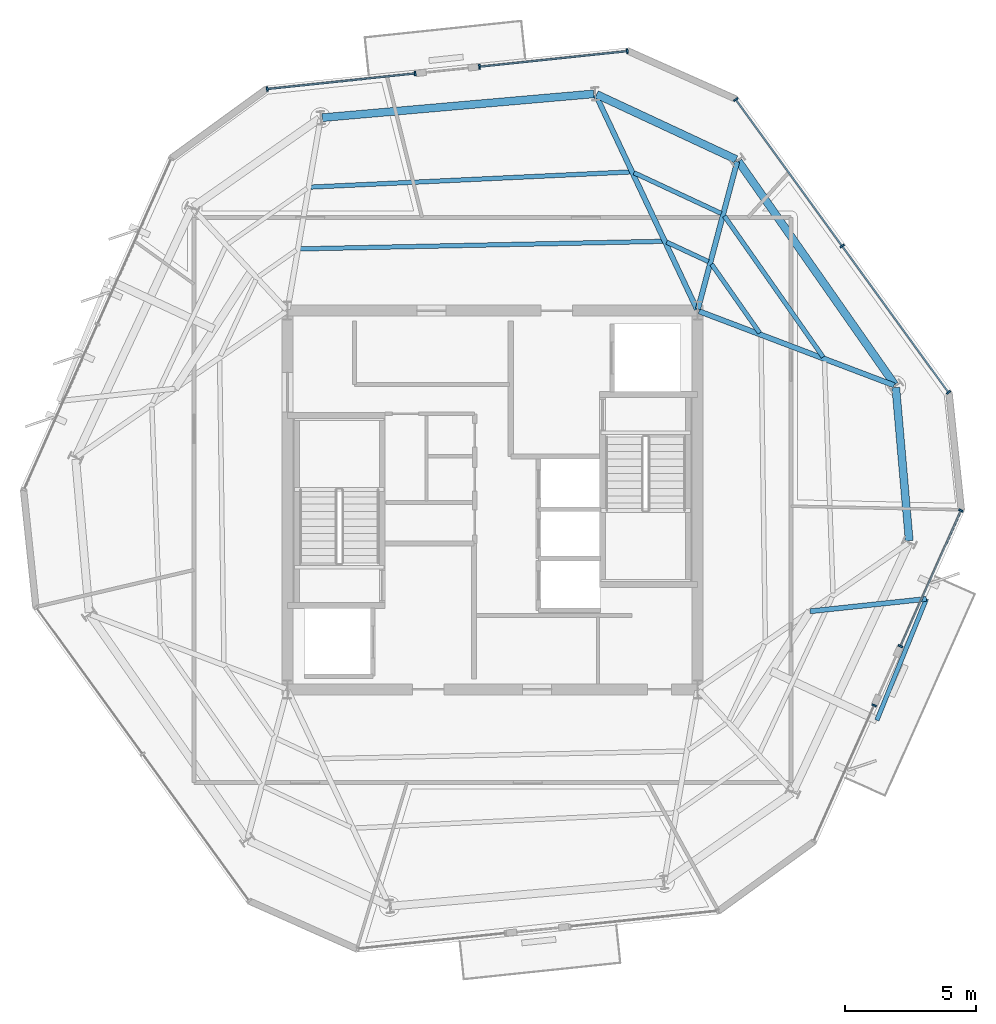
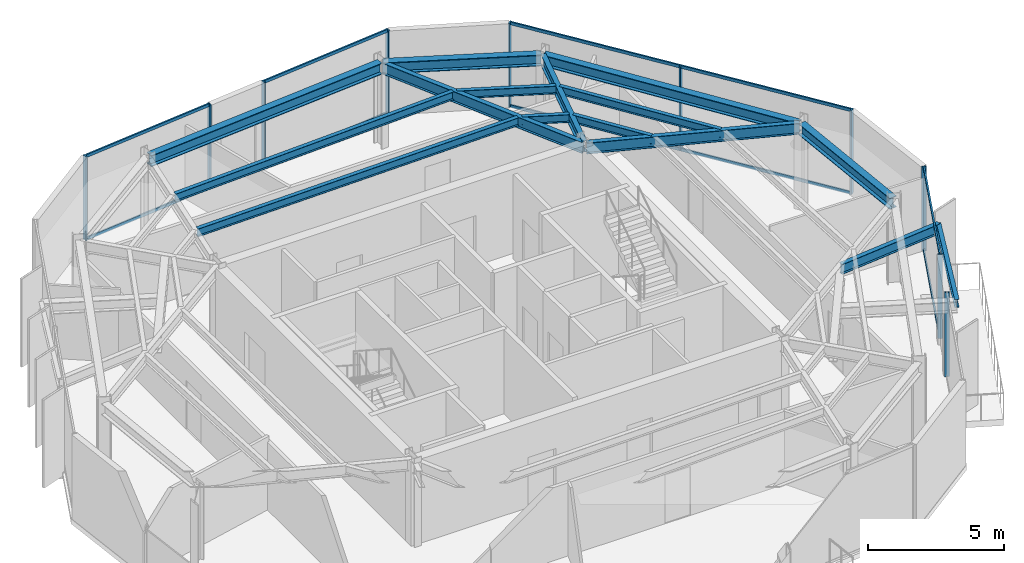
# One storey, part 5 of 11: 20 members, 15 beams, 5 elements without a shape of their own.
"""IFC4 building model written with IfcOpenShell, lengths in metres."""

from ifc_helpers import new_model, si_unit, direction, frame, origin, origin_2d, place, context, subcontext, project, spatial, rectangle, i_section, extrude, material, layer, layer_set, material_profile, profile_set, type_object, element, aggregate, save


model = new_model("IFC4")

# Units and contexts
model_context = context("Model", 3, precision=1e-05, world=origin(), true_north=direction((0.0, 1.0)))
body_context = subcontext(model_context, "Body", "Model", "MODEL_VIEW")
ifc_project = project(units=[si_unit("LENGTHUNIT", "METRE"), si_unit("AREAUNIT", "SQUARE_METRE"), si_unit("VOLUMEUNIT", "CUBIC_METRE"), si_unit("PLANEANGLEUNIT", "RADIAN"), si_unit("MASSUNIT", "GRAM", prefix="KILO")], contexts=[model_context])

# Site, building, storey
site_placement = place(None, origin())
site = spatial("IfcSite", under=ifc_project, at=site_placement, CompositionType="ELEMENT")
building_placement = place(site_placement, origin())
building = spatial("IfcBuilding", under=site, at=building_placement, Name="Kranzbogen Civic Tower", CompositionType="ELEMENT")
storey_placement = place(building_placement, frame((0.0, 0.0, 290.199951171875)))
storey = spatial("IfcBuildingStorey", under=building, at=storey_placement, Name="L70", CompositionType="ELEMENT", Elevation=290.199951171875)

# Beam
ifc_material_1 = material(Name="Steel S355", Category="steel")
ifc_material_profile_1 = material_profile(ifc_material_1, i_section(OverallWidth=0.18994140625, OverallDepth=0.449951171875, WebThickness=0.009521484375, FlangeThickness=0.0146484375, at=origin_2d()), Name="IPE 450")
ifc_profile_set_1 = profile_set([ifc_material_profile_1], Name="Steel S355")
beam_type_1 = type_object("IfcBeamType", Name="Braced Terrace Edge Beam IPE 450", PredefinedType="BEAM", material=ifc_profile_set_1)
beam_1_placement = place(storey_placement, frame((37.075927734375, 20.76708984375, 3.525146484375), z_axis=(0.994384246191, 0.105829915084, 0.0), x_axis=(-0.105829915084, 0.994384246191, 0.0)))
element("IfcBeam", 1, at=beam_1_placement, inside=storey, type_object=beam_type_1, Name="L71 back-spanned terrace beam L71-TB2-2", PredefinedType="BEAM", context=body_context, shape_type="SweptSolid", body=[
    extrude(i_section(OverallWidth=0.18994140625, OverallDepth=0.449951171875, WebThickness=0.009521484375, FlangeThickness=0.0146484375, at=origin_2d()), origin(), (0.0, 0.0, 1.0), 4.449951171875),
])

# Curtain wall, members
ifc_material_2 = material(Name="Pale Anodised Aluminium", Category="aluminium")
ifc_layer = layer(ifc_material_2, 0.219970703125, Name="Pale Anodised Aluminium")
ifc_layer_set = layer_set([ifc_layer], Name="Pale Anodised Aluminium")
curtain_wall_type = type_object("IfcCurtainWallType", Name="Zone 4 Stick Curtain Wall System CW-05", PredefinedType="USERDEFINED", material=ifc_layer_set)
curtain_wall_1_placement = place(storey_placement, origin())
curtain_wall_1 = element("IfcCurtainWall", 2, at=curtain_wall_1_placement, inside=storey, type_object=curtain_wall_type, Name="L70 curtain wall CW-L70-F1-S1", ObjectType="STICK CURTAIN WALL", PredefinedType="USERDEFINED")
ifc_material_profile_2 = material_profile(ifc_material_2, rectangle(XDim=0.06494140625, YDim=0.179931640625, at=origin_2d()), Name="ALU-M 65x180")
ifc_profile_set_2 = profile_set([ifc_material_profile_2], Name="Pale Anodised Aluminium")
member_type_1 = type_object("IfcMemberType", Name="Curtain Wall Mullion ALU-M 65x180", PredefinedType="MULLION", material=ifc_profile_set_2)
member_1_placement = place(storey_placement, frame((30.127197265625, 42.06689453125, 0.0), z_axis=(0.0, 0.0, 1.0), x_axis=(-0.994525575058, -0.10449344743, 0.0)))
member_1 = element("IfcMember", 3, at=member_1_placement, type_object=member_type_1, Name="CW-05 mullion 1", PredefinedType="MULLION", context=body_context, shape_type="SweptSolid", body=[
    extrude(rectangle(XDim=0.06494140625, YDim=0.179931640625, at=origin_2d()), origin(), (0.0, 0.0, 1.0), 3.780029296875),
])
member_2_placement = place(storey_placement, frame((24.5048828125, 41.47607421875, 0.0), z_axis=(0.0, 0.0, 1.0), x_axis=(-0.994525575058, -0.10449344743, 0.0)))
member_2 = element("IfcMember", 4, at=member_2_placement, type_object=member_type_1, Name="CW-05 mullion 2", PredefinedType="MULLION", context=body_context, shape_type="SweptSolid", body=[
    extrude(rectangle(XDim=0.06494140625, YDim=0.179931640625, at=origin_2d()), origin(), (0.0, 0.0, 1.0), 3.780029296875),
])

curtain_wall_2_placement = place(storey_placement, origin())
curtain_wall_2 = element("IfcCurtainWall", 5, at=curtain_wall_2_placement, inside=storey, type_object=curtain_wall_type, Name="L70 curtain wall CW-L70-F1-S2", ObjectType="STICK CURTAIN WALL", PredefinedType="USERDEFINED")
member_3_placement = place(storey_placement, frame((22.05810546875, 41.21875, 0.0), z_axis=(0.0, 0.0, 1.0), x_axis=(-0.994523663418, -0.104511640032, 0.0)))
member_3 = element("IfcMember", 6, at=member_3_placement, type_object=member_type_1, Name="CW-05 mullion 1", PredefinedType="MULLION", context=body_context, shape_type="SweptSolid", body=[
    extrude(rectangle(XDim=0.06494140625, YDim=0.179931640625, at=origin_2d()), origin(), (0.0, 0.0, 1.0), 3.780029296875),
])
member_4_placement = place(storey_placement, frame((16.436767578125, 40.628173828125, 0.0), z_axis=(0.0, 0.0, 1.0), x_axis=(-0.994523663418, -0.104511640032, 0.0)))
member_4 = element("IfcMember", 7, at=member_4_placement, type_object=member_type_1, Name="CW-05 mullion 2", PredefinedType="MULLION", context=body_context, shape_type="SweptSolid", body=[
    extrude(rectangle(XDim=0.06494140625, YDim=0.179931640625, at=origin_2d()), origin(), (0.0, 0.0, 1.0), 3.780029296875),
])

# Curtain wall, member
curtain_wall_3_placement = place(storey_placement, origin())
curtain_wall_3 = element("IfcCurtainWall", 8, at=curtain_wall_3_placement, inside=storey, type_object=curtain_wall_type, Name="L70 curtain wall CW-L70-F5-S1", ObjectType="STICK CURTAIN WALL", PredefinedType="USERDEFINED")
member_5_placement = place(storey_placement, frame((39.516845703125, 17.190673828125, 0.0), z_axis=(0.0, 0.0, 1.0), x_axis=(0.406787988474, 0.913522595469, 0.0)))
member_5 = element("IfcMember", 9, at=member_5_placement, type_object=member_type_1, Name="CW-05 mullion 2", PredefinedType="MULLION", context=body_context, shape_type="SweptSolid", body=[
    extrude(rectangle(XDim=0.06494140625, YDim=0.179931640625, at=origin_2d()), origin(), (0.0, 0.0, 1.0), 3.780029296875),
])
aggregate(curtain_wall_3, [member_5])

# Curtain wall, members
curtain_wall_4_placement = place(storey_placement, origin())
curtain_wall_4 = element("IfcCurtainWall", 10, at=curtain_wall_4_placement, inside=storey, type_object=curtain_wall_type, Name="L70 curtain wall CW-L70-F5-S2", ObjectType="STICK CURTAIN WALL", PredefinedType="USERDEFINED")
member_6_placement = place(storey_placement, frame((40.51708984375, 19.4384765625, 0.0), z_axis=(0.0, 0.0, 1.0), x_axis=(0.406706940752, 0.91355868139, 0.0)))
member_6 = element("IfcMember", 11, at=member_6_placement, type_object=member_type_1, Name="CW-05 mullion 1", PredefinedType="MULLION", context=body_context, shape_type="SweptSolid", body=[
    extrude(rectangle(XDim=0.06494140625, YDim=0.179931640625, at=origin_2d()), origin(), (0.0, 0.0, 1.0), 3.780029296875),
])
member_7_placement = place(storey_placement, frame((42.81591796875, 24.6015625, 0.0), z_axis=(0.0, 0.0, 1.0), x_axis=(0.406706940752, 0.91355868139, 0.0)))
member_7 = element("IfcMember", 12, at=member_7_placement, type_object=member_type_1, Name="CW-05 mullion 2", PredefinedType="MULLION", context=body_context, shape_type="SweptSolid", body=[
    extrude(rectangle(XDim=0.06494140625, YDim=0.179931640625, at=origin_2d()), origin(), (0.0, 0.0, 1.0), 3.780029296875),
])

curtain_wall_5_placement = place(storey_placement, origin())
curtain_wall_5 = element("IfcCurtainWall", 13, at=curtain_wall_5_placement, inside=storey, type_object=curtain_wall_type, Name="L70 curtain wall CW-L70-F6", ObjectType="STICK CURTAIN WALL", PredefinedType="USERDEFINED")
member_8_placement = place(storey_placement, frame((42.34326171875, 29.09326171875, 0.0), z_axis=(0.0, 0.0, 1.0), x_axis=(-0.587767348667, 0.809030001817, 0.0)))
member_8 = element("IfcMember", 14, at=member_8_placement, type_object=member_type_1, Name="CW-05 mullion 1", PredefinedType="MULLION", context=body_context, shape_type="SweptSolid", body=[
    extrude(rectangle(XDim=0.06494140625, YDim=0.179931640625, at=origin_2d()), origin(), (0.0, 0.0, 1.0), 3.780029296875),
])
member_9_placement = place(storey_placement, frame((38.298095703125, 34.66162109375, 0.0), z_axis=(0.0, 0.0, 1.0), x_axis=(-0.587767348667, 0.809030001817, 0.0)))
member_9 = element("IfcMember", 15, at=member_9_placement, type_object=member_type_1, Name="CW-05 mullion 2", PredefinedType="MULLION", context=body_context, shape_type="SweptSolid", body=[
    extrude(rectangle(XDim=0.06494140625, YDim=0.179931640625, at=origin_2d()), origin(), (0.0, 0.0, 1.0), 3.780029296875),
])
member_10_placement = place(storey_placement, frame((34.252685546875, 40.229736328125, 0.0), z_axis=(0.0, 0.0, 1.0), x_axis=(-0.587767348667, 0.809030001817, 0.0)))
member_10 = element("IfcMember", 16, at=member_10_placement, type_object=member_type_1, Name="CW-05 mullion 3", PredefinedType="MULLION", context=body_context, shape_type="SweptSolid", body=[
    extrude(rectangle(XDim=0.06494140625, YDim=0.179931640625, at=origin_2d()), origin(), (0.0, 0.0, 1.0), 3.780029296875),
])

# Member
ifc_material_profile_3 = material_profile(ifc_material_2, rectangle(XDim=0.06494140625, YDim=0.135009765625, at=origin_2d()), Name="ALU-T 65x135")
ifc_profile_set_3 = profile_set([ifc_material_profile_3], Name="Pale Anodised Aluminium")
member_type_2 = type_object("IfcMemberType", Name="Curtain Wall Transom ALU-T 65x135", PredefinedType="USERDEFINED", material=ifc_profile_set_3)
member_11_placement = place(storey_placement, frame((30.097412109375, 42.063720703125, 0.030029296875), z_axis=(-0.994525524764, -0.104493926104, 0.0), x_axis=(0.104493926104, -0.994525524764, 0.0)))
member_11 = element("IfcMember", 17, at=member_11_placement, type_object=member_type_2, Name="CW-05 transom 1.1", ObjectType="TRANSOM", PredefinedType="USERDEFINED", context=body_context, shape_type="SweptSolid", body=[
    extrude(rectangle(XDim=0.06494140625, YDim=0.135009765625, at=origin_2d()), origin(), (0.0, 0.0, 1.0), 5.59326171875),
])

member_12_placement = place(storey_placement, frame((30.097412109375, 42.063720703125, 3.75), z_axis=(-0.994525524764, -0.104493926104, 0.0), x_axis=(0.104493926104, -0.994525524764, 0.0)))
member_12 = element("IfcMember", 18, at=member_12_placement, type_object=member_type_2, Name="CW-05 transom 1.2", ObjectType="TRANSOM", PredefinedType="USERDEFINED", context=body_context, shape_type="SweptSolid", body=[
    extrude(rectangle(XDim=0.06494140625, YDim=0.135009765625, at=origin_2d()), origin(), (0.0, 0.0, 1.0), 5.59326171875),
])

aggregate(curtain_wall_1, [member_1, member_2, member_11, member_12])

member_13_placement = place(storey_placement, frame((22.0283203125, 41.2158203125, 0.030029296875), z_axis=(-0.99452361789, -0.104512073273, 0.0), x_axis=(0.104512073273, -0.99452361789, 0.0)))
member_13 = element("IfcMember", 19, at=member_13_placement, type_object=member_type_2, Name="CW-05 transom 1.1", ObjectType="TRANSOM", PredefinedType="USERDEFINED", context=body_context, shape_type="SweptSolid", body=[
    extrude(rectangle(XDim=0.06494140625, YDim=0.135009765625, at=origin_2d()), origin(), (0.0, 0.0, 1.0), 5.59228515625),
])

member_14_placement = place(storey_placement, frame((22.0283203125, 41.2158203125, 3.75), z_axis=(-0.99452361789, -0.104512073273, 0.0), x_axis=(0.104512073273, -0.99452361789, 0.0)))
member_14 = element("IfcMember", 20, at=member_14_placement, type_object=member_type_2, Name="CW-05 transom 1.2", ObjectType="TRANSOM", PredefinedType="USERDEFINED", context=body_context, shape_type="SweptSolid", body=[
    extrude(rectangle(XDim=0.06494140625, YDim=0.135009765625, at=origin_2d()), origin(), (0.0, 0.0, 1.0), 5.59228515625),
])

aggregate(curtain_wall_2, [member_3, member_4, member_13, member_14])

member_15_placement = place(storey_placement, frame((40.529296875, 19.4658203125, 0.030029296875), z_axis=(0.406737917964, 0.913544890025, 0.0), x_axis=(-0.913544890025, 0.406737917964, 0.0)))
member_15 = element("IfcMember", 21, at=member_15_placement, type_object=member_type_2, Name="CW-05 transom 1.1", ObjectType="TRANSOM", PredefinedType="USERDEFINED", context=body_context, shape_type="SweptSolid", body=[
    extrude(rectangle(XDim=0.06494140625, YDim=0.135009765625, at=origin_2d()), origin(), (0.0, 0.0, 1.0), 5.591796875),
])

member_16_placement = place(storey_placement, frame((40.529296875, 19.4658203125, 3.75), z_axis=(0.406737917964, 0.913544890025, 0.0), x_axis=(-0.913544890025, 0.406737917964, 0.0)))
member_16 = element("IfcMember", 22, at=member_16_placement, type_object=member_type_2, Name="CW-05 transom 1.2", ObjectType="TRANSOM", PredefinedType="USERDEFINED", context=body_context, shape_type="SweptSolid", body=[
    extrude(rectangle(XDim=0.06494140625, YDim=0.135009765625, at=origin_2d()), origin(), (0.0, 0.0, 1.0), 5.591796875),
])

aggregate(curtain_wall_4, [member_6, member_7, member_15, member_16])

member_17_placement = place(storey_placement, frame((42.32568359375, 29.117431640625, 0.030029296875), z_axis=(-0.587752462123, 0.809040816812, 0.0), x_axis=(-0.809040816812, -0.587752462123, 0.0)))
member_17 = element("IfcMember", 23, at=member_17_placement, type_object=member_type_2, Name="CW-05 transom 1.1", ObjectType="TRANSOM", PredefinedType="USERDEFINED", context=body_context, shape_type="SweptSolid", body=[
    extrude(rectangle(XDim=0.06494140625, YDim=0.135009765625, at=origin_2d()), origin(), (0.0, 0.0, 1.0), 6.822509765625),
])

member_18_placement = place(storey_placement, frame((42.32568359375, 29.117431640625, 3.75), z_axis=(-0.587752462123, 0.809040816812, 0.0), x_axis=(-0.809040816812, -0.587752462123, 0.0)))
member_18 = element("IfcMember", 24, at=member_18_placement, type_object=member_type_2, Name="CW-05 transom 1.2", ObjectType="TRANSOM", PredefinedType="USERDEFINED", context=body_context, shape_type="SweptSolid", body=[
    extrude(rectangle(XDim=0.06494140625, YDim=0.135009765625, at=origin_2d()), origin(), (0.0, 0.0, 1.0), 6.822509765625),
])

member_19_placement = place(storey_placement, frame((38.2802734375, 34.685791015625, 0.030029296875), z_axis=(-0.587752462123, 0.809040816812, 0.0), x_axis=(-0.809040816812, -0.587752462123, 0.0)))
member_19 = element("IfcMember", 25, at=member_19_placement, type_object=member_type_2, Name="CW-05 transom 2.1", ObjectType="TRANSOM", PredefinedType="USERDEFINED", context=body_context, shape_type="SweptSolid", body=[
    extrude(rectangle(XDim=0.06494140625, YDim=0.135009765625, at=origin_2d()), origin(), (0.0, 0.0, 1.0), 6.822509765625),
])

member_20_placement = place(storey_placement, frame((38.2802734375, 34.685791015625, 3.75), z_axis=(-0.587752462123, 0.809040816812, 0.0), x_axis=(-0.809040816812, -0.587752462123, 0.0)))
member_20 = element("IfcMember", 26, at=member_20_placement, type_object=member_type_2, Name="CW-05 transom 2.2", ObjectType="TRANSOM", PredefinedType="USERDEFINED", context=body_context, shape_type="SweptSolid", body=[
    extrude(rectangle(XDim=0.06494140625, YDim=0.135009765625, at=origin_2d()), origin(), (0.0, 0.0, 1.0), 6.822509765625),
])

aggregate(curtain_wall_5, [member_8, member_9, member_10, member_17, member_18, member_19, member_20])

# Beams
ifc_material_profile_4 = material_profile(ifc_material_1, i_section(OverallWidth=0.300048828125, OverallDepth=0.5, WebThickness=0.014404296875, FlangeThickness=0.028076171875, at=origin_2d()), Name="HEB 500")
ifc_profile_set_4 = profile_set([ifc_material_profile_4], Name="Steel S355")
beam_type_2 = type_object("IfcBeamType", Name="Perimeter Tube Spandrel Beam HEB 500", PredefinedType="SPANDREL", material=ifc_profile_set_4)
beam_2_placement = place(storey_placement, frame((40.85009765625, 23.449951171875, 3.530029296875), z_axis=(-0.087326362434, 0.99617975608, 0.0), x_axis=(-0.99617975608, -0.087326362434, 0.0)))
element("IfcBeam", 27, at=beam_2_placement, inside=storey, type_object=beam_type_2, Name="L70 perimeter spandrel beam 06", PredefinedType="SPANDREL", context=body_context, shape_type="SweptSolid", body=[
    extrude(i_section(OverallWidth=0.300048828125, OverallDepth=0.5, WebThickness=0.014404296875, FlangeThickness=0.028076171875, at=origin_2d()), origin(), (0.0, 0.0, 1.0), 5.8515625),
])
beam_3_placement = place(storey_placement, frame((40.300048828125, 29.387939453125, 3.530029296875), z_axis=(-0.573577759301, 0.819151117948, 0.0), x_axis=(-0.819151117948, -0.573577759301, 0.0)))
element("IfcBeam", 28, at=beam_3_placement, inside=storey, type_object=beam_type_2, Name="L70 perimeter spandrel beam 07", PredefinedType="SPANDREL", context=body_context, shape_type="SweptSolid", body=[
    extrude(i_section(OverallWidth=0.300048828125, OverallDepth=0.5, WebThickness=0.014404296875, FlangeThickness=0.028076171875, at=origin_2d()), origin(), (0.0, 0.0, 1.0), 10.36328125),
])
beam_4_placement = place(storey_placement, frame((34.26806640625, 37.950927734375, 3.530029296875), z_axis=(-0.906289661556, 0.422657129784, 0.0), x_axis=(-0.422657129784, -0.906289661556, 0.0)))
element("IfcBeam", 29, at=beam_4_placement, inside=storey, type_object=beam_type_2, Name="L70 perimeter spandrel beam 08", PredefinedType="SPANDREL", context=body_context, shape_type="SweptSolid", body=[
    extrude(i_section(OverallWidth=0.300048828125, OverallDepth=0.5, WebThickness=0.014404296875, FlangeThickness=0.028076171875, at=origin_2d()), origin(), (0.0, 0.0, 1.0), 5.853759765625),
])
beam_5_placement = place(storey_placement, frame((28.84912109375, 40.445068359375, 3.530029296875), z_axis=(-0.996186373839, -0.087250837114, 0.0), x_axis=(0.087250837114, -0.996186373839, 0.0)))
element("IfcBeam", 30, at=beam_5_placement, inside=storey, type_object=beam_type_2, Name="L70 perimeter spandrel beam 09", PredefinedType="SPANDREL", context=body_context, shape_type="SweptSolid", body=[
    extrude(i_section(OverallWidth=0.300048828125, OverallDepth=0.5, WebThickness=0.014404296875, FlangeThickness=0.028076171875, at=origin_2d()), origin(), (0.0, 0.0, 1.0), 10.361572265625),
])
ifc_material_profile_5 = material_profile(ifc_material_1, i_section(OverallWidth=0.199951171875, OverallDepth=0.5, WebThickness=0.01025390625, FlangeThickness=0.01611328125, at=origin_2d()), Name="IPE 500")
ifc_profile_set_5 = profile_set([ifc_material_profile_5], Name="Steel S355")
beam_type_3 = type_object("IfcBeamType", Name="Radial Tower Floor Girder IPE 500", PredefinedType="BEAM", material=ifc_profile_set_5)
beam_6_placement = place(storey_placement, frame((40.278076171875, 29.360107421875, 3.530029296875), z_axis=(-0.934848709689, 0.355046320913, 0.0), x_axis=(-0.355046320913, -0.934848709689, 0.0)))
element("IfcBeam", 31, at=beam_6_placement, inside=storey, type_object=beam_type_3, Name="L70 radial floor girder 07", PredefinedType="BEAM", context=body_context, shape_type="SweptSolid", body=[
    extrude(i_section(OverallWidth=0.199951171875, OverallDepth=0.5, WebThickness=0.01025390625, FlangeThickness=0.01611328125, at=origin_2d()), origin(), (0.0, 0.0, 1.0), 7.939453125),
])
beam_7_placement = place(storey_placement, frame((34.306884765625, 37.867919921875, 3.530029296875), z_axis=(-0.257016017622, -0.966407143333, 0.0), x_axis=(0.966407143333, -0.257016017622, 0.0)))
element("IfcBeam", 32, at=beam_7_placement, inside=storey, type_object=beam_type_3, Name="L70 radial floor girder 08", PredefinedType="BEAM", context=body_context, shape_type="SweptSolid", body=[
    extrude(i_section(OverallWidth=0.199951171875, OverallDepth=0.5, WebThickness=0.01025390625, FlangeThickness=0.01611328125, at=origin_2d()), origin(), (0.0, 0.0, 1.0), 5.804931640625),
])
beam_8_placement = place(storey_placement, frame((28.93505859375, 40.39599609375, 3.530029296875), z_axis=(0.426460441273, -0.904506214478, 0.0), x_axis=(0.904506214478, 0.426460441273, 0.0)))
element("IfcBeam", 33, at=beam_8_placement, inside=storey, type_object=beam_type_3, Name="L70 radial floor girder 09", PredefinedType="BEAM", context=body_context, shape_type="SweptSolid", body=[
    extrude(i_section(OverallWidth=0.199951171875, OverallDepth=0.5, WebThickness=0.01025390625, FlangeThickness=0.01611328125, at=origin_2d()), origin(), (0.0, 0.0, 1.0), 9.001708984375),
])
ifc_material_profile_6 = material_profile(ifc_material_1, i_section(OverallWidth=0.169921875, OverallDepth=0.360107421875, WebThickness=0.008056640625, FlangeThickness=0.0126953125, at=origin_2d()), Name="IPE 360")
ifc_profile_set_6 = profile_set([ifc_material_profile_6], Name="Steel S355")
beam_type_4 = type_object("IfcBeamType", Name="Secondary Composite Floor Joist IPE 360", PredefinedType="JOIST", material=ifc_profile_set_6)
beam_9_placement = place(storey_placement, frame((37.575927734375, 30.43408203125, 3.60009765625), z_axis=(-0.573499872939, 0.819205649235, 0.0), x_axis=(-0.819205649235, -0.573499872939, 0.0)))
element("IfcBeam", 34, at=beam_9_placement, inside=storey, type_object=beam_type_4, Name="L70 secondary floor joist 1.07", PredefinedType="JOIST", context=body_context, shape_type="SweptSolid", body=[
    extrude(i_section(OverallWidth=0.169921875, OverallDepth=0.360107421875, WebThickness=0.008056640625, FlangeThickness=0.0126953125, at=origin_2d()), origin(), (0.0, 0.0, 1.0), 6.549072265625),
])
beam_10_placement = place(storey_placement, frame((35.1650390625, 31.35009765625, 3.60009765625), z_axis=(-0.573498248491, 0.819206786457, 0.0), x_axis=(-0.819206786457, -0.573498248491, 0.0)))
element("IfcBeam", 35, at=beam_10_placement, inside=storey, type_object=beam_type_4, Name="L70 secondary floor joist 2.07", PredefinedType="JOIST", context=body_context, shape_type="SweptSolid", body=[
    extrude(i_section(OverallWidth=0.169921875, OverallDepth=0.360107421875, WebThickness=0.008056640625, FlangeThickness=0.0126953125, at=origin_2d()), origin(), (0.0, 0.0, 1.0), 3.194580078125),
])
beam_11_placement = place(storey_placement, frame((33.701904296875, 35.89794921875, 3.60009765625), z_axis=(-0.906303996948, 0.422626389517, 0.0), x_axis=(-0.422626389517, -0.906303996948, 0.0)))
element("IfcBeam", 36, at=beam_11_placement, inside=storey, type_object=beam_type_4, Name="L70 secondary floor joist 1.08", PredefinedType="JOIST", context=body_context, shape_type="SweptSolid", body=[
    extrude(i_section(OverallWidth=0.169921875, OverallDepth=0.360107421875, WebThickness=0.008056640625, FlangeThickness=0.0126953125, at=origin_2d()), origin(), (0.0, 0.0, 1.0), 3.6630859375),
])
beam_12_placement = place(storey_placement, frame((33.215087890625, 34.06591796875, 3.60009765625), z_axis=(-0.906432174342, 0.422351409751, 0.0), x_axis=(-0.422351409751, -0.906432174342, 0.0)))
element("IfcBeam", 37, at=beam_12_placement, inside=storey, type_object=beam_type_4, Name="L70 secondary floor joist 2.08", PredefinedType="JOIST", context=body_context, shape_type="SweptSolid", body=[
    extrude(i_section(OverallWidth=0.169921875, OverallDepth=0.360107421875, WebThickness=0.008056640625, FlangeThickness=0.0126953125, at=origin_2d()), origin(), (0.0, 0.0, 1.0), 1.751953125),
])
beam_13_placement = place(storey_placement, frame((30.22998046875, 37.47607421875, 3.60009765625), z_axis=(-0.998871634781, -0.047491654324, 0.0), x_axis=(0.047491654324, -0.998871634781, 0.0)))
element("IfcBeam", 38, at=beam_13_placement, inside=storey, type_object=beam_type_4, Name="L70 secondary floor joist 1.09", PredefinedType="JOIST", context=body_context, shape_type="SweptSolid", body=[
    extrude(i_section(OverallWidth=0.169921875, OverallDepth=0.360107421875, WebThickness=0.008056640625, FlangeThickness=0.0126953125, at=origin_2d()), origin(), (0.0, 0.0, 1.0), 12.152587890625),
])
beam_14_placement = place(storey_placement, frame((31.47509765625, 34.837890625, 3.60009765625), z_axis=(-0.999780746893, -0.020939392104, 0.0), x_axis=(0.020939392104, -0.999780746893, 0.0)))
element("IfcBeam", 39, at=beam_14_placement, inside=storey, type_object=beam_type_4, Name="L70 secondary floor joist 2.09", PredefinedType="JOIST", context=body_context, shape_type="SweptSolid", body=[
    extrude(i_section(OverallWidth=0.169921875, OverallDepth=0.360107421875, WebThickness=0.008056640625, FlangeThickness=0.0126953125, at=origin_2d()), origin(), (0.0, 0.0, 1.0), 13.79296875),
])
beam_15_placement = place(storey_placement, frame((39.618896484375, 16.6240234375, 3.570068359375), z_axis=(0.377692145342, 0.925931230355, 0.0), x_axis=(-0.925931230355, 0.377692145342, 0.0)))
element("IfcBeam", 40, at=beam_15_placement, inside=storey, type_object=beam_type_4, Name="L71 terrace outer edge trimmer L71-TB2", PredefinedType="JOIST", context=body_context, shape_type="SweptSolid", body=[
    extrude(i_section(OverallWidth=0.169921875, OverallDepth=0.360107421875, WebThickness=0.008056640625, FlangeThickness=0.0126953125, at=origin_2d()), origin(), (0.0, 0.0, 1.0), 4.983154296875),
])

save(model, "model.ifc")
